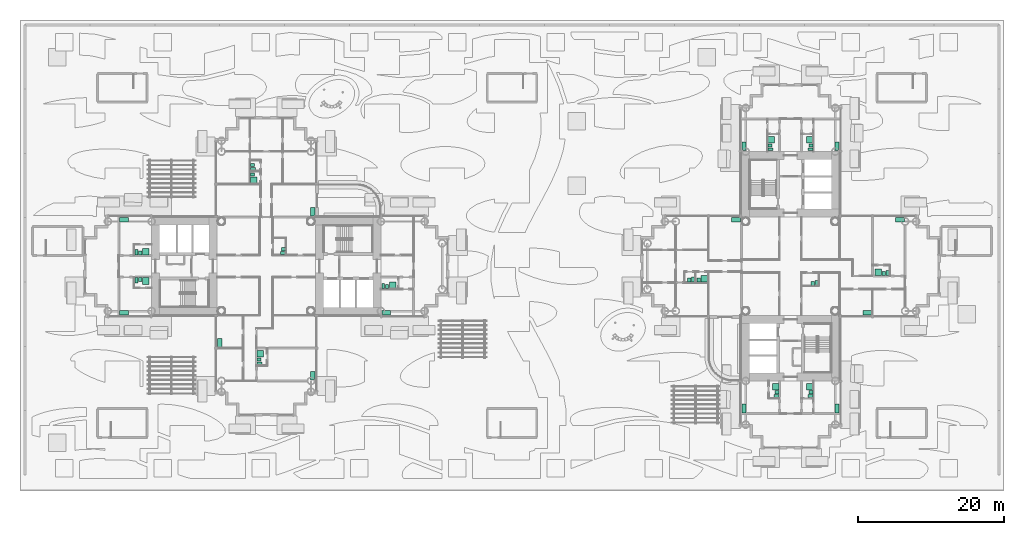
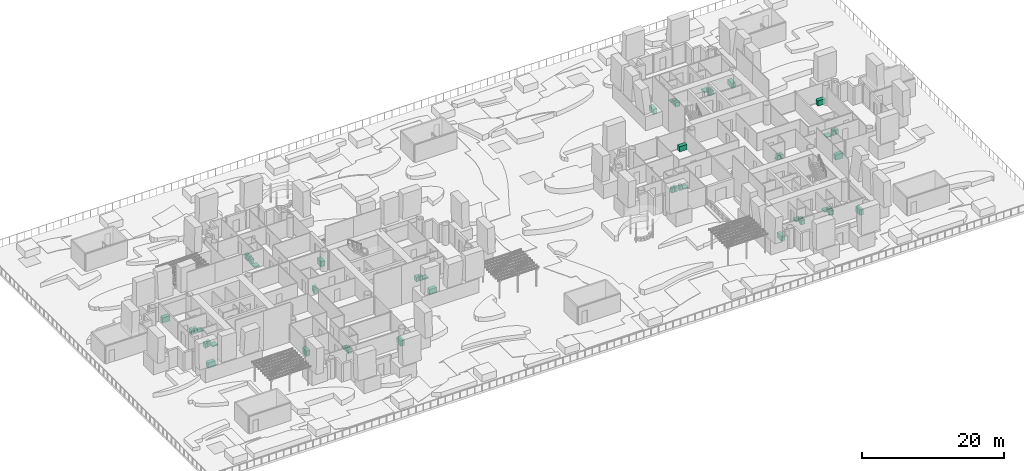
# One storey, part 40 of 40: 52 sanitary terminals.
"""IFC4 building model written with IfcOpenShell, lengths in metres."""

from ifc_helpers import new_model, si_unit, direction, frame, origin, origin_2d, place, context, subcontext, project, spatial, rectangle, extrude, material, type_object, element, save


model = new_model("IFC4")

# Units and contexts
model_context = context("Model", 3, precision=1e-05, world=origin(), true_north=direction((0.0, 1.0)))
body_context = subcontext(model_context, "Body", "Model", "MODEL_VIEW")
ifc_project = project(units=[si_unit("LENGTHUNIT", "METRE"), si_unit("AREAUNIT", "SQUARE_METRE"), si_unit("VOLUMEUNIT", "CUBIC_METRE"), si_unit("PLANEANGLEUNIT", "RADIAN"), si_unit("MASSUNIT", "GRAM", prefix="KILO")], contexts=[model_context])

# Site, building, storey
site_placement = place(None, origin())
site = spatial("IfcSite", under=ifc_project, at=site_placement, CompositionType="ELEMENT")
building_placement = place(site_placement, origin())
building = spatial("IfcBuilding", under=site, at=building_placement, Name="Ipe Terrace Towers", CompositionType="ELEMENT")
storey_placement = place(building_placement, frame((0.0, 0.0, 24.5)))
storey = spatial("IfcBuildingStorey", under=building, at=storey_placement, Name="L05", CompositionType="ELEMENT", Elevation=24.5)

# Sanitary terminals
ifc_material_1 = material(Name="Stainless sink unit", Category="metal")
sanitary_terminal_type_1 = type_object("IfcSanitaryTerminalType", Name="Kitchen sink unit", PredefinedType="SINK", material=ifc_material_1)
for number, where, z_axis, x_axis, name in (
    (1, (-29.6201171875, 7.469970703125, 0.0), (0.0, 0.0, 1.0), (0.0, -1.0, 0.0), "Kitchen sink unit"),
    (2, (-29.6201171875, -15.030029296875, 0.0), (0.0, 0.0, 1.0), (0.0, -1.0, 0.0), "Kitchen sink unit"),
    (3, (-42.3798828125, -10.530029296875, 0.0), (0.0, 0.0, 1.0), (0.0, 1.0, 0.0), "Kitchen sink unit"),
    (4, (-19.530029296875, -6.3798828125, 0.0), (0.0, 0.0, 1.0), (-1.0, 0.0, 0.0), "Kitchen sink unit"),
    (5, (-55.530029296875, -6.3798828125, 0.0), (0.0, 0.0, 1.0), (-1.0, 0.0, 0.0), "Kitchen sink unit"),
    (6, (-55.530029296875, 6.3798828125, 0.0), (0.0, 0.0, 1.0), (1.0, 0.0, 0.0), "Kitchen sink unit"),
    (7, (28.530029296875, 6.3798828125, 0.0), (0.0, 0.0, 1.0), (1.0, 0.0, 0.0), "Kitchen sink unit"),
    (8, (51.030029296875, 6.3798828125, 0.0), (0.0, 0.0, 1.0), (1.0, 0.0, 0.0), "Kitchen sink unit"),
    (9, (46.530029296875, -6.3798828125, 0.0), (0.0, 0.0, 1.0), (-1.0, 0.0, 0.0), "Kitchen sink unit"),
    (10, (29.6201171875, 16.469970703125, 0.0), (0.0, 0.0, 1.0), (0.0, 1.0, 0.0), "Kitchen sink unit"),
    (11, (42.3798828125, 16.469970703125, 0.0), (0.0, 0.0, 1.0), (0.0, -1.0, 0.0), "Kitchen sink unit"),
    (12, (42.3798828125, -19.530029296875, 0.0), (0.0, 0.0, 1.0), (0.0, -1.0, 0.0), "Kitchen sink unit"),
    (13, (29.6201171875, -19.530029296875, 0.0), (0.0, 0.0, 1.0), (0.0, 1.0, 0.0), "Kitchen sink unit"),
):
    element("IfcSanitaryTerminal", number, at=place(storey_placement, frame(where, z_axis=z_axis, x_axis=x_axis)), inside=storey, type_object=sanitary_terminal_type_1, Name=name, PredefinedType="SINK", context=body_context, shape_type="SweptSolid", body=[
        extrude(rectangle(XDim=1.199951171875, YDim=0.60009765625, at=origin_2d()), origin(), (0.0, 0.0, 1.0), 0.89990234375),
    ])
ifc_material_2 = material(Name="Acrylic", Category="plastic")
sanitary_terminal_type_2 = type_object("IfcSanitaryTerminalType", Name="Shower tray", PredefinedType="SHOWER", material=ifc_material_2)
for number, where, z_axis, x_axis, name in (
    (14, (-37.72998046875, 11.820068359375, 0.0), (0.0, 0.0, 1.0), (1.0, 0.0, 0.0), "Shower tray"),
    (15, (-36.830078125, -12.030029296875, 0.0), (0.0, 0.0, 1.0), (1.0, 0.0, 0.0), "Shower tray"),
    (16, (-18.6298828125, -2.6298828125, 0.0), (0.0, 0.0, 1.0), (0.0, 1.0, 0.0), "Shower tray"),
    (17, (-52.530029296875, -2.02001953125, 0.0), (0.0, 0.0, 1.0), (0.0, -1.0, 0.0), "Shower tray"),
    (18, (-52.530029296875, 2.02001953125, 0.0), (0.0, 0.0, 1.0), (0.0, 1.0, 0.0), "Shower tray"),
    (19, (24.179931640625, -1.72998046875, 0.0), (0.0, 0.0, 1.0), (0.0, 1.0, 0.0), "Shower tray"),
    (20, (48.030029296875, -0.830078125, 0.0), (0.0, 0.0, 1.0), (0.0, 1.0, 0.0), "Shower tray"),
    (21, (33.3701171875, 17.3701171875, 0.0), (0.0, 0.0, 1.0), (1.0, 0.0, 0.0), "Shower tray"),
    (22, (38.6298828125, 17.3701171875, 0.0), (0.0, 0.0, 1.0), (-1.0, 0.0, 0.0), "Shower tray"),
    (23, (38.6298828125, -16.530029296875, 0.0), (0.0, 0.0, 1.0), (-1.0, 0.0, 0.0), "Shower tray"),
    (24, (33.97998046875, -16.530029296875, 0.0), (0.0, 0.0, 1.0), (-1.0, 0.0, 0.0), "Shower tray"),
):
    element("IfcSanitaryTerminal", number, at=place(storey_placement, frame(where, z_axis=z_axis, x_axis=x_axis)), inside=storey, type_object=sanitary_terminal_type_2, Name=name, PredefinedType="SHOWER", context=body_context, shape_type="SweptSolid", body=[
        extrude(rectangle(XDim=0.89990234375, YDim=0.89990234375, at=origin_2d()), origin(), (0.0, 0.0, 1.0), 0.14990234375),
    ])
ifc_material_3 = material(Name="Vitreous china", Category="ceramic")
sanitary_terminal_type_3 = type_object("IfcSanitaryTerminalType", Name="Wash basin", PredefinedType="WASHHANDBASIN", material=ifc_material_3)
for number, where, z_axis, x_axis, name in (
    (25, (-33.64501953125, 2.344970703125, 0.0), (0.0, 0.0, 1.0), (-1.0, 0.0, 0.0), "Wash basin"),
    (26, (-37.905029296875, 12.594970703125, 0.0), (0.0, 0.0, 1.0), (1.0, 0.0, 0.0), "Wash basin"),
    (27, (-37.905029296875, 13.89501953125, 0.0), (0.0, 0.0, 1.0), (1.0, 0.0, 0.0), "Wash basin"),
    (28, (-37.0048828125, -12.804931640625, 0.0), (0.0, 0.0, 1.0), (1.0, 0.0, 0.0), "Wash basin"),
    (29, (-19.405029296875, -2.804931640625, 0.0), (0.0, 0.0, 1.0), (0.0, 1.0, 0.0), "Wash basin"),
    (30, (-53.304931640625, -1.844970703125, 0.0), (0.0, 0.0, 1.0), (0.0, -1.0, 0.0), "Wash basin"),
    (31, (-53.304931640625, 1.844970703125, 0.0), (0.0, 0.0, 1.0), (0.0, 1.0, 0.0), "Wash basin"),
    (32, (39.054931640625, -2.35498046875, 0.0), (0.0, 0.0, 1.0), (0.0, 1.0, 0.0), "Wash basin"),
    (33, (23.405029296875, -1.905029296875, 0.0), (0.0, 0.0, 1.0), (0.0, 1.0, 0.0), "Wash basin"),
    (34, (22.10498046875, -1.905029296875, 0.0), (0.0, 0.0, 1.0), (0.0, 1.0, 0.0), "Wash basin"),
    (35, (48.804931640625, -1.0048828125, 0.0), (0.0, 0.0, 1.0), (0.0, 1.0, 0.0), "Wash basin"),
    (36, (33.195068359375, 16.594970703125, 0.0), (0.0, 0.0, 1.0), (1.0, 0.0, 0.0), "Wash basin"),
    (37, (38.804931640625, 16.594970703125, 0.0), (0.0, 0.0, 1.0), (-1.0, 0.0, 0.0), "Wash basin"),
    (38, (38.804931640625, -17.304931640625, 0.0), (0.0, 0.0, 1.0), (-1.0, 0.0, 0.0), "Wash basin"),
    (39, (34.155029296875, -17.304931640625, 0.0), (0.0, 0.0, 1.0), (-1.0, 0.0, 0.0), "Wash basin"),
):
    element("IfcSanitaryTerminal", number, at=place(storey_placement, frame(where, z_axis=z_axis, x_axis=x_axis)), inside=storey, type_object=sanitary_terminal_type_3, Name=name, PredefinedType="WASHHANDBASIN", context=body_context, shape_type="SweptSolid", body=[
        extrude(rectangle(XDim=0.550048828125, YDim=0.449951171875, at=origin_2d()), origin(), (0.0, 0.0, 1.0), 0.85009765625),
    ])
ifc_material_4 = material(Name="Vitreous china", Category="ceramic")
sanitary_terminal_type_4 = type_object("IfcSanitaryTerminalType", Name="Water closet", PredefinedType="TOILETPAN", material=ifc_material_4)
for number, where, z_axis, x_axis, name in (
    (40, (-33.719970703125, 1.820068359375, 0.0), (0.0, 0.0, 1.0), (-1.0, 0.0, 0.0), "Water closet"),
    (41, (-37.830078125, 13.3701171875, 0.0), (0.0, 0.0, 1.0), (1.0, 0.0, 0.0), "Water closet"),
    (42, (-36.929931640625, -13.330078125, 0.0), (0.0, 0.0, 1.0), (1.0, 0.0, 0.0), "Water closet"),
    (43, (-19.929931640625, -2.72998046875, 0.0), (0.0, 0.0, 1.0), (0.0, 1.0, 0.0), "Water closet"),
    (44, (-53.830078125, -1.919921875, 0.0), (0.0, 0.0, 1.0), (0.0, -1.0, 0.0), "Water closet"),
    (45, (-53.830078125, 1.919921875, 0.0), (0.0, 0.0, 1.0), (0.0, 1.0, 0.0), "Water closet"),
    (46, (39.580078125, -2.280029296875, 0.0), (0.0, 0.0, 1.0), (0.0, 1.0, 0.0), "Water closet"),
    (47, (22.6298828125, -1.830078125, 0.0), (0.0, 0.0, 1.0), (0.0, 1.0, 0.0), "Water closet"),
    (48, (49.330078125, -0.929931640625, 0.0), (0.0, 0.0, 1.0), (0.0, 1.0, 0.0), "Water closet"),
    (49, (33.27001953125, 16.070068359375, 0.0), (0.0, 0.0, 1.0), (1.0, 0.0, 0.0), "Water closet"),
    (50, (38.72998046875, 16.070068359375, 0.0), (0.0, 0.0, 1.0), (-1.0, 0.0, 0.0), "Water closet"),
    (51, (38.72998046875, -17.830078125, 0.0), (0.0, 0.0, 1.0), (-1.0, 0.0, 0.0), "Water closet"),
    (52, (34.080078125, -17.830078125, 0.0), (0.0, 0.0, 1.0), (-1.0, 0.0, 0.0), "Water closet"),
):
    element("IfcSanitaryTerminal", number, at=place(storey_placement, frame(where, z_axis=z_axis, x_axis=x_axis)), inside=storey, type_object=sanitary_terminal_type_4, Name=name, PredefinedType="TOILETPAN", context=body_context, shape_type="SweptSolid", body=[
        extrude(rectangle(XDim=0.699951171875, YDim=0.39990234375, at=origin_2d()), origin(), (0.0, 0.0, 1.0), 0.780029296875),
    ])

save(model, "model.ifc")
